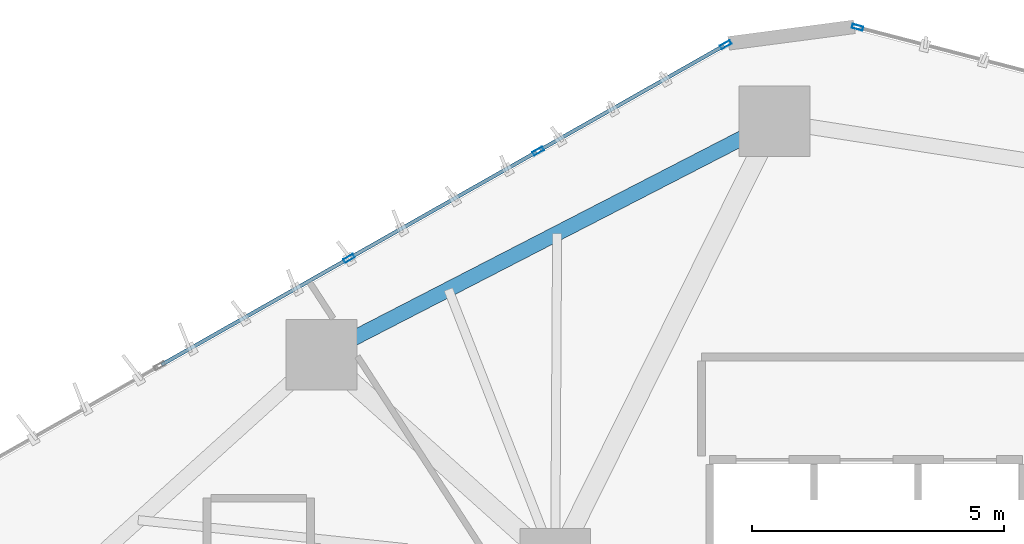
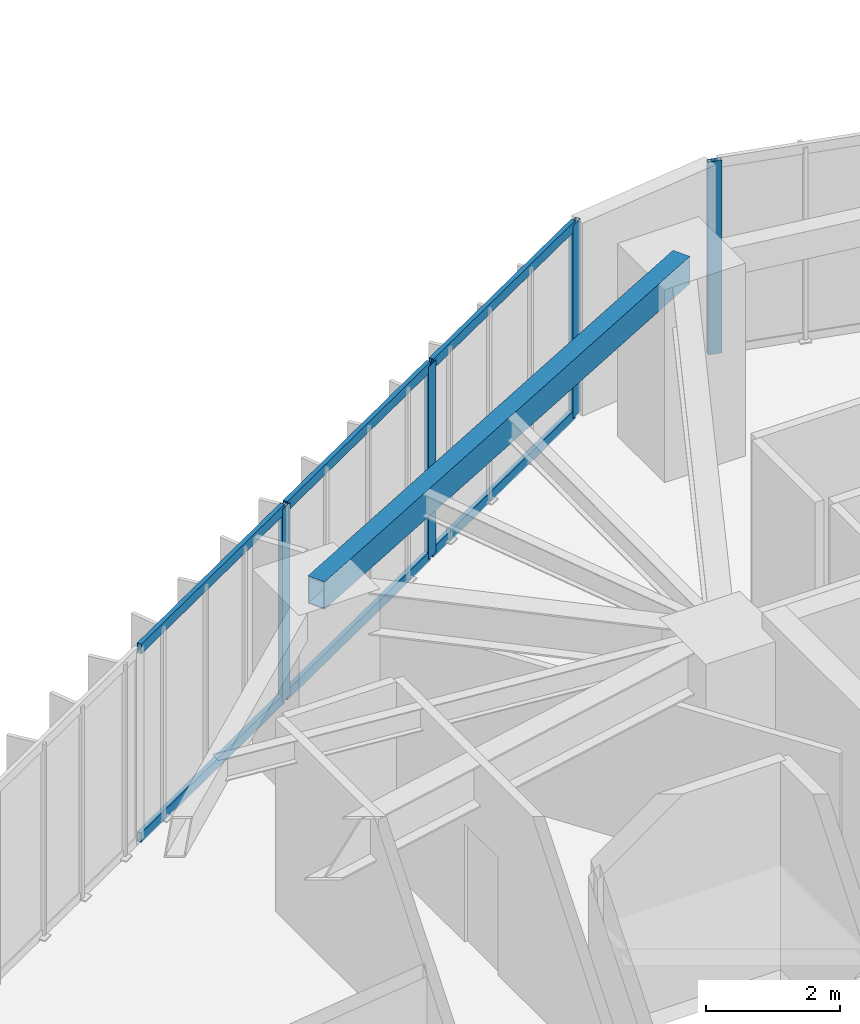
# One storey, part 14 of 23: 10 members, 1 beam, 2 elements without a shape of their own.
"""IFC4 building model written with IfcOpenShell, lengths in metres."""

from ifc_helpers import new_model, si_unit, direction, frame, origin, origin_2d, place, context, subcontext, project, spatial, hollow_rectangle, extrude, source, transform, mapped, material, layer, layer_set, material_profile, profile_set, type_object, type_shapes, element, aggregate, save


model = new_model("IFC4")

# Units and contexts
model_context = context("Model", 3, precision=1e-05, world=origin(), true_north=direction((0.0, 1.0)))
body_context = subcontext(model_context, "Body", "Model", "MODEL_VIEW")
ifc_project = project(units=[si_unit("LENGTHUNIT", "METRE"), si_unit("AREAUNIT", "SQUARE_METRE"), si_unit("VOLUMEUNIT", "CUBIC_METRE"), si_unit("PLANEANGLEUNIT", "RADIAN"), si_unit("MASSUNIT", "GRAM", prefix="KILO")], contexts=[model_context])

# Site, building, storey
site_placement = place(None, origin())
site = spatial("IfcSite", under=ifc_project, at=site_placement, CompositionType="ELEMENT")
building_placement = place(site_placement, origin())
building = spatial("IfcBuilding", under=site, at=building_placement, Name="Talar Marvaseh", CompositionType="ELEMENT")
storey_placement = place(building_placement, frame((0.0, 0.0, 46.800048828125)))
storey = spatial("IfcBuildingStorey", under=building, at=storey_placement, Name="L11", CompositionType="ELEMENT", Elevation=46.800048828125)

# Beam
ifc_material_1 = material(Name="Steel S355", Category="steel")
ifc_material_profile_1 = material_profile(ifc_material_1, hollow_rectangle(XDim=0.300048828125, YDim=0.5, WallThickness=0.02001953125, at=origin_2d()), Name="RHS500x300x20")
ifc_profile_set_1 = profile_set([ifc_material_profile_1], Name="Steel S355")
beam_type = type_object("IfcBeamType", Name="Zone 1 Perimeter Spandrel Beam RHS500x300x20", PredefinedType="SPANDREL", material=ifc_profile_set_1)
beam_placement = place(storey_placement, frame((14.069091796875, 41.04296875, 3.27001953125), z_axis=(0.889015710182, 0.457876694155, 0.0), x_axis=(-0.457876694155, 0.889015710182, 0.0)))
element("IfcBeam", 1, at=beam_placement, inside=storey, type_object=beam_type, Name="L11 Zone 1 Perimeter Spandrel Beam RHS500x300x20", PredefinedType="SPANDREL", context=body_context, shape_type="SweptSolid", body=[
    extrude(hollow_rectangle(XDim=0.300048828125, YDim=0.5, WallThickness=0.02001953125, at=origin_2d()), origin(), (0.0, 0.0, 1.0), 10.098876953125),
])

# Curtain wall, members
ifc_material_2 = material(Name="Architectural Aluminium", Category="aluminium")
ifc_layer = layer(ifc_material_2, 0.219970703125)
ifc_layer_set = layer_set([ifc_layer], Name="Architectural Aluminium")
curtain_wall_type = type_object("IfcCurtainWallType", Name="Unitised Low-E Museum Curtain Wall Z1", PredefinedType="NOTDEFINED", material=ifc_layer_set)
curtain_wall_1_placement = place(storey_placement, origin())
curtain_wall_1 = element("IfcCurtainWall", 2, at=curtain_wall_1_placement, inside=storey, type_object=curtain_wall_type, Name="L11 Unitised Low-E Museum Curtain Wall Z1", PredefinedType="NOTDEFINED")
ifc_material_profile_2 = material_profile(ifc_material_2, hollow_rectangle(XDim=0.080078125, YDim=0.219970703125, WallThickness=0.0048828125, at=origin_2d()), Name="RHS220x80x5")
ifc_profile_set_2 = profile_set([ifc_material_profile_2], Name="Architectural Aluminium")
member_type_1 = type_object("IfcMemberType", Name="Unitised Curtain Wall Heavy Mullion RHS220x80x5", PredefinedType="MULLION", material=ifc_profile_set_2)
shared_shape_1 = source(origin(), body_context, "Body", "SweptSolid", [
    extrude(hollow_rectangle(XDim=0.080078125, YDim=0.219970703125, WallThickness=0.0048828125, at=origin_2d()), origin(), (0.0, 0.0, 1.0), 3.52001953125),
])
type_shapes(member_type_1, [shared_shape_1])
member_1_placement = place(storey_placement, frame((14.61328125, 42.95166015625, 0.0), z_axis=(0.0, 0.0, 1.0), x_axis=(-0.493456056896, 0.869770728361, 0.0)))
member_1 = element("IfcMember", 3, at=member_1_placement, type_object=member_type_1, Name="CW-Z1 mullion 3", PredefinedType="MULLION", context=body_context, shape_type="MappedRepresentation", body=[
    mapped(shared_shape_1, transform((0.0, 0.0, 0.0), x_axis=(1.0, 0.0, 0.0), y_axis=(0.0, 1.0, 0.0), z_axis=(0.0, 0.0, 1.0), scale=1.0)),
])
member_2_placement = place(storey_placement, frame((18.363525390625, 45.079345703125, 0.0), z_axis=(0.0, 0.0, 1.0), x_axis=(-0.493456056896, 0.869770728361, 0.0)))
member_2 = element("IfcMember", 4, at=member_2_placement, type_object=member_type_1, Name="CW-Z1 mullion 4", PredefinedType="MULLION", context=body_context, shape_type="MappedRepresentation", body=[
    mapped(shared_shape_1, transform((0.0, 0.0, 0.0), x_axis=(1.0, 0.0, 0.0), y_axis=(0.0, 1.0, 0.0), z_axis=(0.0, 0.0, 1.0), scale=1.0)),
])
member_3_placement = place(storey_placement, frame((22.0791015625, 47.187255859375, 0.0), z_axis=(0.0, 0.0, 1.0), x_axis=(-0.493456056896, 0.869770728361, 0.0)))
member_3 = element("IfcMember", 5, at=member_3_placement, type_object=member_type_1, Name="CW-Z1 mullion 5", PredefinedType="MULLION", context=body_context, shape_type="MappedRepresentation", body=[
    mapped(shared_shape_1, transform((0.0, 0.0, 0.0), x_axis=(1.0, 0.0, 0.0), y_axis=(0.0, 1.0, 0.0), z_axis=(0.0, 0.0, 1.0), scale=1.0)),
])

# Curtain wall, member
curtain_wall_2_placement = place(storey_placement, origin())
curtain_wall_2 = element("IfcCurtainWall", 6, at=curtain_wall_2_placement, inside=storey, type_object=curtain_wall_type, Name="L11 Unitised Low-E Museum Curtain Wall Z1", PredefinedType="NOTDEFINED")
member_4_placement = place(storey_placement, frame((24.69189453125, 47.53125, 0.0), z_axis=(0.0, 0.0, 1.0), x_axis=(0.251524908555, 0.967850825477, 0.0)))
member_4 = element("IfcMember", 7, at=member_4_placement, type_object=member_type_1, Name="CW-Z1 mullion 1", PredefinedType="MULLION", context=body_context, shape_type="MappedRepresentation", body=[
    mapped(shared_shape_1, transform((0.0, 0.0, 0.0), x_axis=(1.0, 0.0, 0.0), y_axis=(0.0, 1.0, 0.0), z_axis=(0.0, 0.0, 1.0), scale=1.0)),
])
aggregate(curtain_wall_2, [member_4])

# Member
ifc_material_profile_3 = material_profile(ifc_material_2, hollow_rectangle(XDim=0.074951171875, YDim=0.179931640625, WallThickness=0.0048828125, at=origin_2d()), Name="RHS180x75x5")
ifc_profile_set_3 = profile_set([ifc_material_profile_3], Name="Architectural Aluminium")
member_type_2 = type_object("IfcMemberType", Name="Unitised Curtain Wall Transom RHS180x75x5", PredefinedType="USERDEFINED", material=ifc_profile_set_3)
shared_shape_2 = source(origin(), body_context, "Body", "SweptSolid", [
    extrude(hollow_rectangle(XDim=0.074951171875, YDim=0.179931640625, WallThickness=0.0048828125, at=origin_2d()), origin(), (0.0, 0.0, 1.0), 4.19189453125),
])
member_5_placement = place(storey_placement, frame((18.3984375, 45.09912109375, 0.037353515625), z_axis=(0.86978725743, 0.493426921451, 0.0), x_axis=(-0.493426921451, 0.86978725743, 0.0)))
member_5 = element("IfcMember", 8, at=member_5_placement, type_object=member_type_2, Name="CW-Z1 transom 4.1", ObjectType="TRANSOM", PredefinedType="USERDEFINED", context=body_context, shape_type="MappedRepresentation", body=[
    mapped(shared_shape_2, transform((0.0, 0.0, 0.0), x_axis=(1.0, 0.0, 0.0), y_axis=(0.0, 1.0, 0.0), z_axis=(0.0, 0.0, 1.0), scale=1.0)),
])

member_6_placement = place(storey_placement, frame((18.3984375, 45.09912109375, 3.482421875), z_axis=(0.86978725743, 0.493426921451, 0.0), x_axis=(-0.493426921451, 0.86978725743, 0.0)))
member_6 = element("IfcMember", 9, at=member_6_placement, type_object=member_type_2, Name="CW-Z1 transom 4.2", ObjectType="TRANSOM", PredefinedType="USERDEFINED", context=body_context, shape_type="MappedRepresentation", body=[
    mapped(shared_shape_2, transform((0.0, 0.0, 0.0), x_axis=(1.0, 0.0, 0.0), y_axis=(0.0, 1.0, 0.0), z_axis=(0.0, 0.0, 1.0), scale=1.0)),
])

shared_shape_3 = source(origin(), body_context, "Body", "SweptSolid", [
    extrude(hollow_rectangle(XDim=0.074951171875, YDim=0.179931640625, WallThickness=0.0048828125, at=origin_2d()), origin(), (0.0, 0.0, 1.0), 4.23193359375),
])
member_7_placement = place(storey_placement, frame((10.897705078125, 40.843505859375, 0.037353515625), z_axis=(0.86975150333, 0.493489941595, 0.0), x_axis=(-0.493489941595, 0.86975150333, 0.0)))
member_7 = element("IfcMember", 10, at=member_7_placement, type_object=member_type_2, Name="CW-Z1 transom 2.1", ObjectType="TRANSOM", PredefinedType="USERDEFINED", context=body_context, shape_type="MappedRepresentation", body=[
    mapped(shared_shape_3, transform((0.0, 0.0, 0.0), x_axis=(1.0, 0.0, 0.0), y_axis=(0.0, 1.0, 0.0), z_axis=(0.0, 0.0, 1.0), scale=1.0)),
])

member_8_placement = place(storey_placement, frame((10.897705078125, 40.843505859375, 3.482421875), z_axis=(0.86975150333, 0.493489941595, 0.0), x_axis=(-0.493489941595, 0.86975150333, 0.0)))
member_8 = element("IfcMember", 11, at=member_8_placement, type_object=member_type_2, Name="CW-Z1 transom 2.2", ObjectType="TRANSOM", PredefinedType="USERDEFINED", context=body_context, shape_type="MappedRepresentation", body=[
    mapped(shared_shape_3, transform((0.0, 0.0, 0.0), x_axis=(1.0, 0.0, 0.0), y_axis=(0.0, 1.0, 0.0), z_axis=(0.0, 0.0, 1.0), scale=1.0)),
])

shared_shape_4 = source(origin(), body_context, "Body", "SweptSolid", [
    extrude(hollow_rectangle(XDim=0.074951171875, YDim=0.179931640625, WallThickness=0.0048828125, at=origin_2d()), origin(), (0.0, 0.0, 1.0), 4.232177734375),
])
type_shapes(member_type_2, [shared_shape_2, shared_shape_3, shared_shape_4])
member_9_placement = place(storey_placement, frame((14.64794921875, 42.97119140625, 0.037353515625), z_axis=(0.869765551928, 0.493465180818, 0.0), x_axis=(-0.493465180818, 0.869765551928, 0.0)))
member_9 = element("IfcMember", 12, at=member_9_placement, type_object=member_type_2, Name="CW-Z1 transom 3.1", ObjectType="TRANSOM", PredefinedType="USERDEFINED", context=body_context, shape_type="MappedRepresentation", body=[
    mapped(shared_shape_4, transform((0.0, 0.0, 0.0), x_axis=(1.0, 0.0, 0.0), y_axis=(0.0, 1.0, 0.0), z_axis=(0.0, 0.0, 1.0), scale=1.0)),
])

member_10_placement = place(storey_placement, frame((14.64794921875, 42.97119140625, 3.482421875), z_axis=(0.869765551928, 0.493465180818, 0.0), x_axis=(-0.493465180818, 0.869765551928, 0.0)))
member_10 = element("IfcMember", 13, at=member_10_placement, type_object=member_type_2, Name="CW-Z1 transom 3.2", ObjectType="TRANSOM", PredefinedType="USERDEFINED", context=body_context, shape_type="MappedRepresentation", body=[
    mapped(shared_shape_4, transform((0.0, 0.0, 0.0), x_axis=(1.0, 0.0, 0.0), y_axis=(0.0, 1.0, 0.0), z_axis=(0.0, 0.0, 1.0), scale=1.0)),
])

aggregate(curtain_wall_1, [member_1, member_2, member_3, member_7, member_8, member_9, member_10, member_5, member_6])

save(model, "model.ifc")
